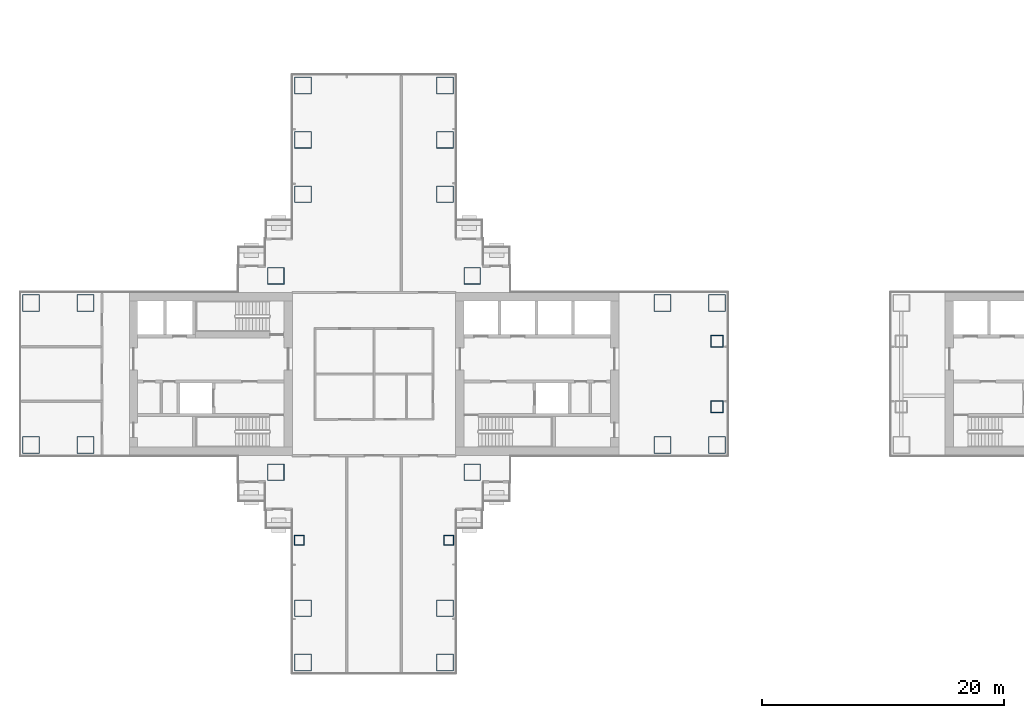
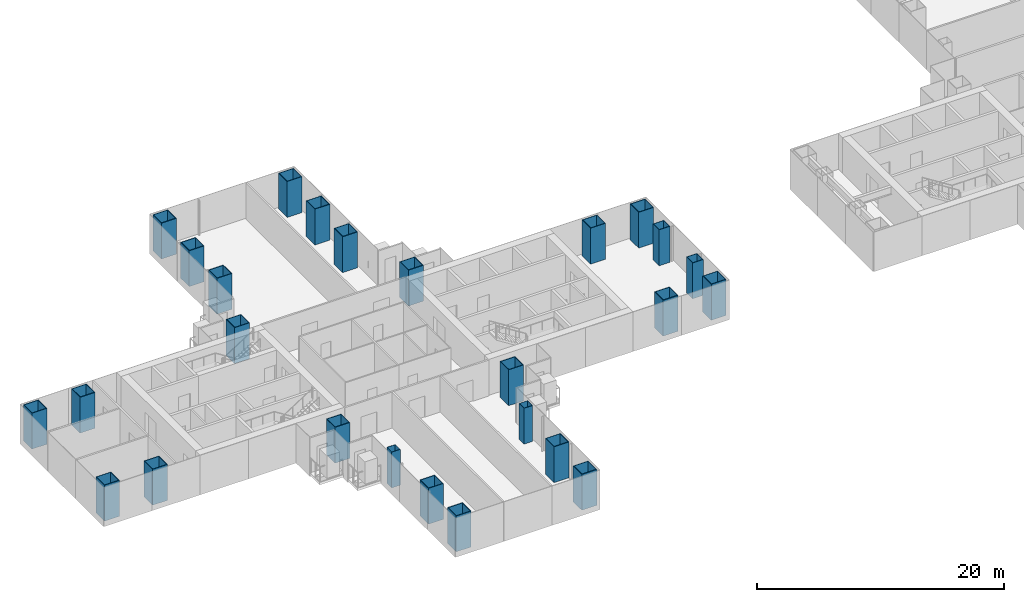
# One storey, part 1 of 21: 26 columns.
"""IFC4 building model written with IfcOpenShell, lengths in metres."""

from ifc_helpers import new_model, si_unit, direction, frame, origin, origin_2d, place, context, subcontext, project, spatial, hollow_rectangle, extrude, material, material_profile, profile_set, type_object, element, save


model = new_model("IFC4")

# Units and contexts
model_context = context("Model", 3, precision=1e-05, world=origin(), true_north=direction((0.0, 1.0)))
body_context = subcontext(model_context, "Body", "Model", "MODEL_VIEW")
ifc_project = project(units=[si_unit("LENGTHUNIT", "METRE"), si_unit("AREAUNIT", "SQUARE_METRE"), si_unit("VOLUMEUNIT", "CUBIC_METRE"), si_unit("PLANEANGLEUNIT", "RADIAN"), si_unit("MASSUNIT", "GRAM", prefix="KILO")], contexts=[model_context])

# Site, building, storey
site_placement = place(None, origin())
site = spatial("IfcSite", under=ifc_project, at=site_placement, CompositionType="ELEMENT")
building_placement = place(site_placement, origin())
building = spatial("IfcBuilding", under=site, at=building_placement, Name="Shamsa Quay Exchange Towers", CompositionType="ELEMENT")
storey_placement = place(building_placement, frame((0.0, 0.0, 45.89990234375)))
storey = spatial("IfcBuildingStorey", under=building, at=storey_placement, Name="L09", CompositionType="ELEMENT", Elevation=45.89990234375)

# Columns
ifc_material_1 = material(Name="Concrete-filled steel tube S355 / C80/95", Category="concrete")
ifc_material_profile_1 = material_profile(ifc_material_1, hollow_rectangle(XDim=1.39990234375, YDim=1.39990234375, WallThickness=0.050048828125, at=origin_2d()), Name="CFT 1400x1400x50")
ifc_profile_set_1 = profile_set([ifc_material_profile_1], Name="Concrete-filled steel tube S355 / C80/95")
column_type_1 = type_object("IfcColumnType", Name="Column CFT 1400x1400x50", PredefinedType="COLUMN", material=ifc_profile_set_1)
for number, where, name in (
    (1, (-25.625, 8.125, 0.0), "Mega column T1-CM01"),
    (2, (-25.625, -8.125, 0.0), "Mega column T1-CM02"),
    (3, (-41.875, 8.125, 0.0), "Mega column T1-CM03"),
    (4, (-41.875, -8.125, 0.0), "Mega column T1-CM04"),
    (5, (-9.875, -5.875, 0.0), "Mega column T1-CM05"),
    (6, (-5.375, -5.875, 0.0), "Mega column T1-CM06"),
    (7, (-9.875, 5.875, 0.0), "Mega column T1-CM07"),
    (8, (-5.375, 5.875, 0.0), "Mega column T1-CM08"),
    (9, (-57.625, -5.875, 0.0), "Mega column T1-CM09"),
    (10, (-62.125, -5.875, 0.0), "Mega column T1-CM10"),
    (11, (-57.625, 5.875, 0.0), "Mega column T1-CM11"),
    (12, (-62.125, 5.875, 0.0), "Mega column T1-CM12"),
    (13, (-39.625, 14.875, 0.0), "Mega column T1-CM13"),
    (14, (-39.625, 19.375, 0.0), "Mega column T1-CM14"),
    (15, (-39.625, 23.875, 0.0), "Mega column T1-CM15"),
    (16, (-27.875, 14.875, 0.0), "Mega column T1-CM16"),
    (17, (-27.875, 19.375, 0.0), "Mega column T1-CM17"),
    (18, (-27.875, 23.875, 0.0), "Mega column T1-CM18"),
    (19, (-39.625, -19.375, 0.0), "Mega column T1-CM20"),
    (20, (-39.625, -23.875, 0.0), "Mega column T1-CM21"),
    (21, (-27.875, -19.375, 0.0), "Mega column T1-CM23"),
    (22, (-27.875, -23.875, 0.0), "Mega column T1-CM24"),
):
    element("IfcColumn", number, at=place(storey_placement, frame(where)), inside=storey, type_object=column_type_1, Name=name, PredefinedType="COLUMN", context=body_context, shape_type="SweptSolid", body=[
        extrude(hollow_rectangle(XDim=1.39990234375, YDim=1.39990234375, WallThickness=0.050048828125, at=origin_2d()), origin(), (0.0, 0.0, 1.0), 3.550048828125),
    ])
ifc_material_2 = material(Name="Concrete-filled steel tube S355 / C60/75", Category="concrete")
ifc_material_profile_2 = material_profile(ifc_material_2, hollow_rectangle(XDim=0.800048828125, YDim=0.800048828125, WallThickness=0.02490234375, at=origin_2d()), Name="CFT 800x800x25")
ifc_profile_set_2 = profile_set([ifc_material_profile_2], Name="Concrete-filled steel tube S355 / C60/75")
column_type_2 = type_object("IfcColumnType", Name="Column CFT 800x800x25", PredefinedType="COLUMN", material=ifc_profile_set_2)
for number, where, name in (
    (23, (-39.9375, -13.75, 0.0), "Perimeter column T1-CP19"),
    (24, (-27.5625, -13.75, 0.0), "Perimeter column T1-CP22"),
):
    element("IfcColumn", number, at=place(storey_placement, frame(where)), inside=storey, type_object=column_type_2, Name=name, PredefinedType="COLUMN", context=body_context, shape_type="SweptSolid", body=[
        extrude(hollow_rectangle(XDim=0.800048828125, YDim=0.800048828125, WallThickness=0.02490234375, at=origin_2d()), origin(), (0.0, 0.0, 1.0), 3.550048828125),
    ])
ifc_material_3 = material(Name="Concrete-filled steel tube S355 / C70/85", Category="concrete")
ifc_material_profile_3 = material_profile(ifc_material_3, hollow_rectangle(XDim=1.0, YDim=1.0, WallThickness=0.0400390625, at=origin_2d()), Name="CFT 1000x1000x40")
ifc_profile_set_3 = profile_set([ifc_material_profile_3], Name="Concrete-filled steel tube S355 / C70/85")
column_type_3 = type_object("IfcColumnType", Name="Landing column CFT 1000x1000x40", PredefinedType="COLUMN", material=ifc_profile_set_3)
for number, where, name in (
    (25, (-5.375, -2.699951171875, 0.0), "Landing column T1 S"),
    (26, (-5.375, 2.699951171875, 0.0), "Landing column T1 N"),
):
    element("IfcColumn", number, at=place(storey_placement, frame(where)), inside=storey, type_object=column_type_3, Name=name, PredefinedType="COLUMN", context=body_context, shape_type="SweptSolid", body=[
        extrude(hollow_rectangle(XDim=1.0, YDim=1.0, WallThickness=0.0400390625, at=origin_2d()), origin(), (0.0, 0.0, 1.0), 3.550048828125),
    ])

save(model, "model.ifc")
